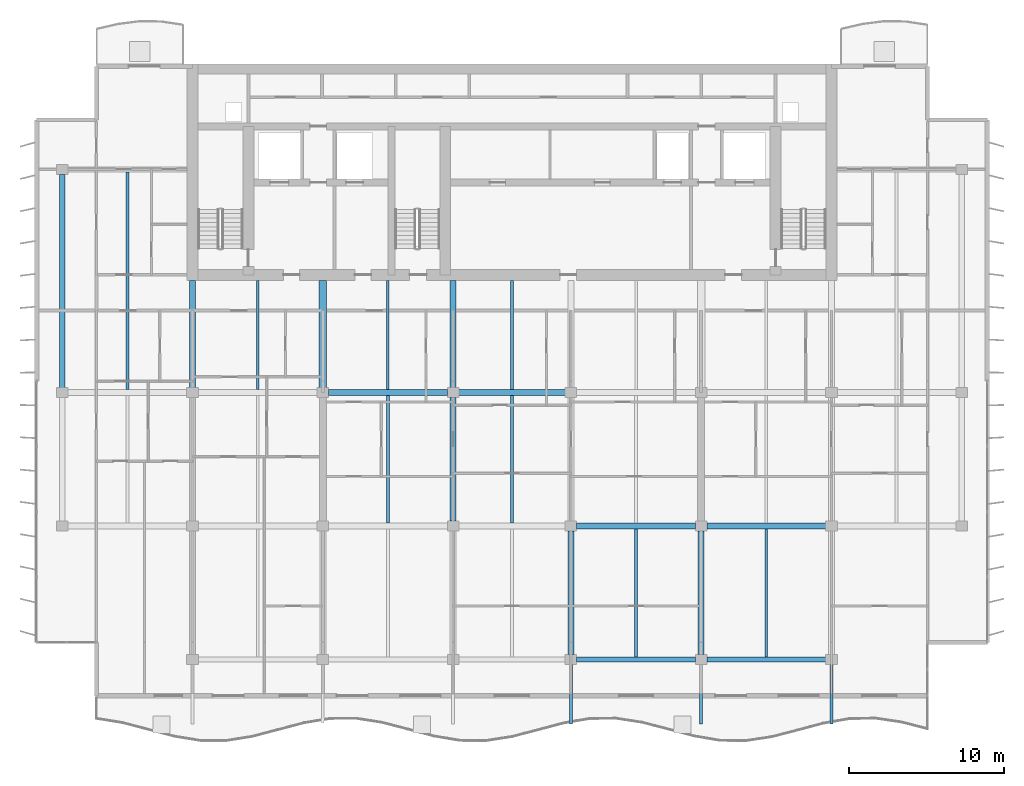
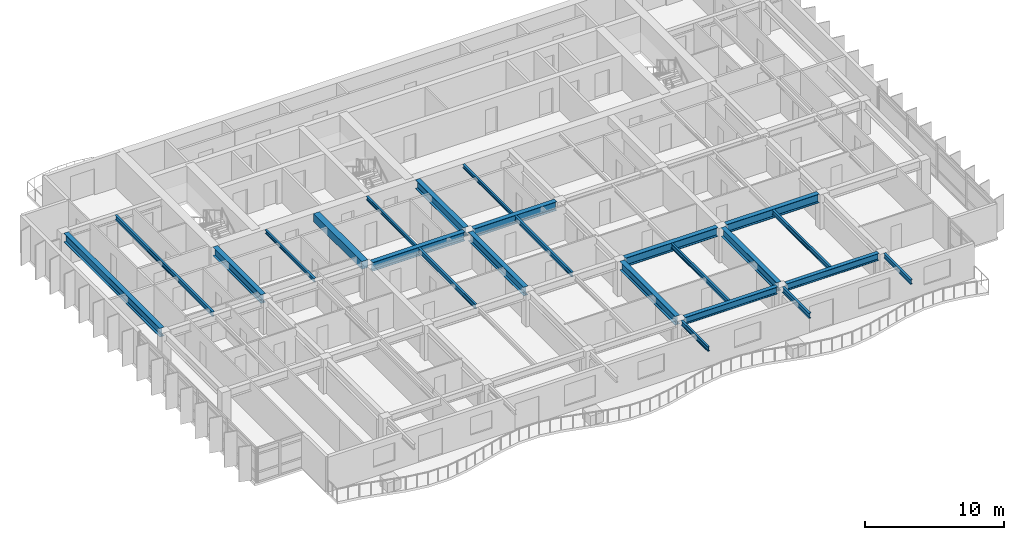
# One storey, part 3 of 16: 24 beams.
"""IFC4 building model written with IfcOpenShell, lengths in metres."""

from ifc_helpers import new_model, si_unit, direction, frame, origin, origin_2d, place, context, subcontext, project, spatial, rectangle, i_section, extrude, material, material_profile, profile_set, type_object, element, save


model = new_model("IFC4")

# Units and contexts
model_context = context("Model", 3, precision=1e-05, world=origin(), true_north=direction((0.0, 1.0)))
body_context = subcontext(model_context, "Body", "Model", "MODEL_VIEW")
ifc_project = project(units=[si_unit("LENGTHUNIT", "METRE"), si_unit("AREAUNIT", "SQUARE_METRE"), si_unit("VOLUMEUNIT", "CUBIC_METRE"), si_unit("PLANEANGLEUNIT", "RADIAN"), si_unit("MASSUNIT", "GRAM", prefix="KILO")], contexts=[model_context])

# Site, building, storey
site_placement = place(None, origin())
site = spatial("IfcSite", under=ifc_project, at=site_placement, CompositionType="ELEMENT")
building_placement = place(site_placement, origin())
building = spatial("IfcBuilding", under=site, at=building_placement, Name="Caelmar Bay Residences", CompositionType="ELEMENT")
storey_placement = place(building_placement, frame((0.0, 0.0, 252.89990234375)))
storey = spatial("IfcBuildingStorey", under=building, at=storey_placement, Name="L71", CompositionType="ELEMENT", Elevation=252.89990234375)

# Beams
ifc_material_1 = material(Name="Steel ASTM A992 Grade 50", Category="steel")
ifc_material_profile_1 = material_profile(ifc_material_1, i_section(OverallWidth=0.177978515625, OverallDepth=0.406005859375, WebThickness=0.0078125, FlangeThickness=0.0126953125, FilletRadius=0.0087890625, at=origin_2d()), Name="W16X40")
ifc_profile_set_1 = profile_set([ifc_material_profile_1], Name="Steel ASTM A992 Grade 50")
beam_type_1 = type_object("IfcBeamType", Name="BM-BAL-W16X40", PredefinedType="JOIST", material=ifc_profile_set_1)
for number, where, z_axis, x_axis, name in (
    (1, (46.89990234375, 12.362548828125, 2.84716796875), (0.0, 1.0, 0.0), (-1.0, 0.0, 0.0), "L71 Composite Floor Joist 4"),
    (2, (55.300048828125, 12.362548828125, 2.84716796875), (0.0, 1.0, 0.0), (-1.0, 0.0, 0.0), "L71 Composite Floor Joist 5"),
):
    element("IfcBeam", number, at=place(storey_placement, frame(where, z_axis=z_axis, x_axis=x_axis)), inside=storey, type_object=beam_type_1, Name=name, PredefinedType="JOIST", context=body_context, shape_type="SweptSolid", body=[
        extrude(i_section(OverallWidth=0.177978515625, OverallDepth=0.406005859375, WebThickness=0.0078125, FlangeThickness=0.0126953125, FilletRadius=0.0087890625, at=origin_2d()), origin(), (0.0, 0.0, 1.0), 8.2470703125),
    ])
for number, where, z_axis, x_axis, name in (
    (3, (30.89990234375, 20.990478515625, 2.84716796875), (0.0, 1.0, 0.0), (-1.0, 0.0, 0.0), "L71 Composite Floor Joist 8"),
    (4, (38.89990234375, 20.990478515625, 2.84716796875), (0.0, 1.0, 0.0), (-1.0, 0.0, 0.0), "L71 Composite Floor Joist 9"),
):
    element("IfcBeam", number, at=place(storey_placement, frame(where, z_axis=z_axis, x_axis=x_axis)), inside=storey, type_object=beam_type_1, Name=name, PredefinedType="JOIST", context=body_context, shape_type="SweptSolid", body=[
        extrude(i_section(OverallWidth=0.177978515625, OverallDepth=0.406005859375, WebThickness=0.0078125, FlangeThickness=0.0126953125, FilletRadius=0.0087890625, at=origin_2d()), origin(), (0.0, 0.0, 1.0), 8.218994140625),
    ])
beam_1_placement = place(storey_placement, frame((14.10009765625, 29.590576171875, 2.84716796875), z_axis=(0.0, 1.0, 0.0), x_axis=(-1.0, 0.0, 0.0)))
element("IfcBeam", 5, at=beam_1_placement, inside=storey, type_object=beam_type_1, Name="L71 Composite Floor Joist 18", PredefinedType="JOIST", context=body_context, shape_type="SweptSolid", body=[
    extrude(i_section(OverallWidth=0.177978515625, OverallDepth=0.406005859375, WebThickness=0.0078125, FlangeThickness=0.0126953125, FilletRadius=0.0087890625, at=origin_2d()), origin(), (0.0, 0.0, 1.0), 14.046875),
])
for number, where, z_axis, x_axis, name in (
    (6, (42.699951171875, 11.885009765625, 2.84716796875), (0.0, -1.0, 0.0), (1.0, 0.0, 0.0), "L72 South Balcony Cantilever Bracket 4"),
    (7, (59.5, 11.885009765625, 2.84716796875), (0.0, -1.0, 0.0), (1.0, 0.0, 0.0), "L72 South Balcony Cantilever Bracket 6"),
):
    element("IfcBeam", number, at=place(storey_placement, frame(where, z_axis=z_axis, x_axis=x_axis)), inside=storey, type_object=beam_type_1, Name=name, PredefinedType="JOIST", context=body_context, shape_type="SweptSolid", body=[
        extrude(i_section(OverallWidth=0.177978515625, OverallDepth=0.406005859375, WebThickness=0.0078125, FlangeThickness=0.0126953125, FilletRadius=0.0087890625, at=origin_2d()), origin(), (0.0, 0.0, 1.0), 3.85009765625),
    ])
ifc_material_profile_2 = material_profile(ifc_material_1, i_section(OverallWidth=0.193115234375, OverallDepth=0.467041015625, WebThickness=0.011474609375, FlangeThickness=0.01904296875, FilletRadius=0.01025390625, at=origin_2d()), Name="W18X65")
ifc_profile_set_2 = profile_set([ifc_material_profile_2], Name="Steel ASTM A992 Grade 50")
beam_type_2 = type_object("IfcBeamType", Name="BM-BAL-W18X65", PredefinedType="BEAM", material=ifc_profile_set_2)
beam_2_placement = place(storey_placement, frame((51.10009765625, 11.885009765625, 2.816650390625), z_axis=(0.0, -1.0, 0.0), x_axis=(1.0, 0.0, 0.0)))
element("IfcBeam", 8, at=beam_2_placement, inside=storey, type_object=beam_type_2, Name="L72 South Balcony Cantilever Bracket 5", PredefinedType="BEAM", context=body_context, shape_type="SweptSolid", body=[
    extrude(i_section(OverallWidth=0.193115234375, OverallDepth=0.467041015625, WebThickness=0.011474609375, FlangeThickness=0.01904296875, FilletRadius=0.01025390625, at=origin_2d()), origin(), (0.0, 0.0, 1.0), 3.85009765625),
])
ifc_material_profile_3 = material_profile(ifc_material_1, i_section(OverallWidth=0.381103515625, OverallDepth=0.77197265625, WebThickness=0.0166015625, FlangeThickness=0.027099609375, FilletRadius=0.0166015625, at=origin_2d()), Name="W30X173")
ifc_profile_set_3 = profile_set([ifc_material_profile_3], Name="Steel ASTM A992 Grade 50")
beam_type_3 = type_object("IfcBeamType", Name="BM-GRD-W30X173", PredefinedType="BEAM", material=ifc_profile_set_3)
beam_3_placement = place(storey_placement, frame((43.06494140625, 20.800048828125, 2.6640625), z_axis=(1.0, 0.0, 0.0), x_axis=(0.0, 1.0, 0.0)))
element("IfcBeam", 9, at=beam_3_placement, inside=storey, type_object=beam_type_3, Name="L71 East-West Girder Y=20.80 (42.7-51.1)", PredefinedType="BEAM", context=body_context, shape_type="SweptSolid", body=[
    extrude(i_section(OverallWidth=0.381103515625, OverallDepth=0.77197265625, WebThickness=0.0166015625, FlangeThickness=0.027099609375, FilletRadius=0.0166015625, at=origin_2d()), origin(), (0.0, 0.0, 1.0), 7.670166015625),
])
beam_4_placement = place(storey_placement, frame((51.465087890625, 20.800048828125, 2.6640625), z_axis=(1.0, 0.0, 0.0), x_axis=(0.0, 1.0, 0.0)))
element("IfcBeam", 10, at=beam_4_placement, inside=storey, type_object=beam_type_3, Name="L71 East-West Girder Y=20.80 (51.1-59.5)", PredefinedType="BEAM", context=body_context, shape_type="SweptSolid", body=[
    extrude(i_section(OverallWidth=0.381103515625, OverallDepth=0.77197265625, WebThickness=0.0166015625, FlangeThickness=0.027099609375, FilletRadius=0.0166015625, at=origin_2d()), origin(), (0.0, 0.0, 1.0), 7.669921875),
])
beam_5_placement = place(storey_placement, frame((27.06494140625, 29.39990234375, 2.6640625), z_axis=(1.0, 0.0, 0.0), x_axis=(0.0, 1.0, 0.0)))
element("IfcBeam", 11, at=beam_5_placement, inside=storey, type_object=beam_type_3, Name="L71 East-West Girder Y=29.40 (26.7-35.1)", PredefinedType="BEAM", context=body_context, shape_type="SweptSolid", body=[
    extrude(i_section(OverallWidth=0.381103515625, OverallDepth=0.77197265625, WebThickness=0.0166015625, FlangeThickness=0.027099609375, FilletRadius=0.0166015625, at=origin_2d()), origin(), (0.0, 0.0, 1.0), 7.670166015625),
])
beam_6_placement = place(storey_placement, frame((35.465087890625, 29.39990234375, 2.6640625), z_axis=(1.0, 0.0, 0.0), x_axis=(0.0, 1.0, 0.0)))
element("IfcBeam", 12, at=beam_6_placement, inside=storey, type_object=beam_type_3, Name="L71 East-West Girder Y=29.40 (35.1-42.7)", PredefinedType="BEAM", context=body_context, shape_type="SweptSolid", body=[
    extrude(i_section(OverallWidth=0.381103515625, OverallDepth=0.77197265625, WebThickness=0.0166015625, FlangeThickness=0.027099609375, FilletRadius=0.0166015625, at=origin_2d()), origin(), (0.0, 0.0, 1.0), 6.869873046875),
])
beam_7_placement = place(storey_placement, frame((9.89990234375, 29.715087890625, 2.6640625), z_axis=(0.0, 1.0, 0.0), x_axis=(-1.0, 0.0, 0.0)))
element("IfcBeam", 13, at=beam_7_placement, inside=storey, type_object=beam_type_3, Name="L71 North-South Girder X=9.90 (29.4-43.8)", PredefinedType="BEAM", context=body_context, shape_type="SweptSolid", body=[
    extrude(i_section(OverallWidth=0.381103515625, OverallDepth=0.77197265625, WebThickness=0.0166015625, FlangeThickness=0.027099609375, FilletRadius=0.0166015625, at=origin_2d()), origin(), (0.0, 0.0, 1.0), 13.77001953125),
])
for number, where, z_axis, x_axis, name in (
    (14, (18.300048828125, 29.715087890625, 2.6640625), (0.0, 1.0, 0.0), (-1.0, 0.0, 0.0), "L71 Core Tie Girder X=18.30"),
    (15, (35.10009765625, 29.715087890625, 2.6640625), (0.0, 1.0, 0.0), (-1.0, 0.0, 0.0), "L71 Core Tie Girder X=35.10"),
):
    element("IfcBeam", number, at=place(storey_placement, frame(where, z_axis=z_axis, x_axis=x_axis)), inside=storey, type_object=beam_type_3, Name=name, PredefinedType="BEAM", context=body_context, shape_type="SweptSolid", body=[
        extrude(i_section(OverallWidth=0.381103515625, OverallDepth=0.77197265625, WebThickness=0.0166015625, FlangeThickness=0.027099609375, FilletRadius=0.0166015625, at=origin_2d()), origin(), (0.0, 0.0, 1.0), 6.934814453125),
    ])
beam_8_placement = place(storey_placement, frame((35.10009765625, 21.114990234375, 2.6640625), z_axis=(0.0, 1.0, 0.0), x_axis=(-1.0, 0.0, 0.0)))
element("IfcBeam", 16, at=beam_8_placement, inside=storey, type_object=beam_type_3, Name="L71 North-South Girder X=35.10 (20.8-29.4)", PredefinedType="BEAM", context=body_context, shape_type="SweptSolid", body=[
    extrude(i_section(OverallWidth=0.381103515625, OverallDepth=0.77197265625, WebThickness=0.0166015625, FlangeThickness=0.027099609375, FilletRadius=0.0166015625, at=origin_2d()), origin(), (0.0, 0.0, 1.0), 7.969970703125),
])
for number, where, z_axis, x_axis, name in (
    (17, (42.699951171875, 12.514892578125, 2.6640625), (0.0, 1.0, 0.0), (-1.0, 0.0, 0.0), "L71 North-South Girder X=42.70 (12.2-20.8)"),
    (18, (51.10009765625, 12.514892578125, 2.6640625), (0.0, 1.0, 0.0), (-1.0, 0.0, 0.0), "L71 North-South Girder X=51.10 (12.2-20.8)"),
):
    element("IfcBeam", number, at=place(storey_placement, frame(where, z_axis=z_axis, x_axis=x_axis)), inside=storey, type_object=beam_type_3, Name=name, PredefinedType="BEAM", context=body_context, shape_type="SweptSolid", body=[
        extrude(i_section(OverallWidth=0.381103515625, OverallDepth=0.77197265625, WebThickness=0.0166015625, FlangeThickness=0.027099609375, FilletRadius=0.0166015625, at=origin_2d()), origin(), (0.0, 0.0, 1.0), 7.97021484375),
    ])
ifc_material_profile_4 = material_profile(ifc_material_1, i_section(OverallWidth=0.1650390625, OverallDepth=0.31005859375, WebThickness=0.005859375, FlangeThickness=0.009765625, FilletRadius=0.007568359375, at=origin_2d()), Name="W12X26")
ifc_profile_set_4 = profile_set([ifc_material_profile_4], Name="Steel ASTM A992 Grade 50")
beam_type_4 = type_object("IfcBeamType", Name="BM-JST-W12X26", PredefinedType="JOIST", material=ifc_profile_set_4)
for number, where, z_axis, x_axis, name in (
    (19, (22.5, 29.590576171875, 2.89501953125), (0.0, 1.0, 0.0), (-1.0, 0.0, 0.0), "L71 Core-Band Composite Joist 13"),
    (20, (30.89990234375, 29.590576171875, 2.89501953125), (0.0, 1.0, 0.0), (-1.0, 0.0, 0.0), "L71 Core-Band Composite Joist 14"),
    (21, (38.89990234375, 29.590576171875, 2.89501953125), (0.0, 1.0, 0.0), (-1.0, 0.0, 0.0), "L71 Core-Band Composite Joist 15"),
):
    element("IfcBeam", number, at=place(storey_placement, frame(where, z_axis=z_axis, x_axis=x_axis)), inside=storey, type_object=beam_type_4, Name=name, PredefinedType="JOIST", context=body_context, shape_type="SweptSolid", body=[
        extrude(i_section(OverallWidth=0.1650390625, OverallDepth=0.31005859375, WebThickness=0.005859375, FlangeThickness=0.009765625, FilletRadius=0.007568359375, at=origin_2d()), origin(), (0.0, 0.0, 1.0), 7.059326171875),
    ])
ifc_material_2 = material(Name="Concrete f'c 55 MPa (8,000 psi)", Category="concrete")
ifc_material_profile_5 = material_profile(ifc_material_2, rectangle(XDim=0.5, YDim=0.699951171875, at=origin_2d()), Name="RC-BM-500X700")
ifc_profile_set_5 = profile_set([ifc_material_profile_5], Name="Concrete f'c 55 MPa (8,000 psi)")
beam_type_5 = type_object("IfcBeamType", Name="BM-RC-500X700", PredefinedType="LINTEL", material=ifc_profile_set_5)
beam_9_placement = place(storey_placement, frame((26.699951171875, 29.715087890625, 2.7001953125), z_axis=(0.0, 1.0, 0.0), x_axis=(-1.0, 0.0, 0.0)))
element("IfcBeam", 22, at=beam_9_placement, inside=storey, type_object=beam_type_5, Name="L71 Shear-Wall Corridor Coupling Lintel W5", PredefinedType="LINTEL", context=body_context, shape_type="SweptSolid", body=[
    extrude(rectangle(XDim=0.5, YDim=0.699951171875, at=origin_2d()), origin(), (0.0, 0.0, 1.0), 6.934814453125),
])
ifc_material_profile_6 = material_profile(ifc_material_1, i_section(OverallWidth=0.324951171875, OverallDepth=0.616943359375, WebThickness=0.013916015625, FlangeThickness=0.021484375, FilletRadius=0.0126953125, at=origin_2d()), Name="W24X117")
ifc_profile_set_6 = profile_set([ifc_material_profile_6], Name="Steel ASTM A992 Grade 50")
beam_type_6 = type_object("IfcBeamType", Name="BM-SPN-W24X117", PredefinedType="SPANDREL", material=ifc_profile_set_6)
beam_10_placement = place(storey_placement, frame((43.06494140625, 12.199951171875, 2.74169921875), z_axis=(1.0, 0.0, 0.0), x_axis=(0.0, 1.0, 0.0)))
element("IfcBeam", 23, at=beam_10_placement, inside=storey, type_object=beam_type_6, Name="L71 East-West Girder Y=12.20 (42.7-51.1)", PredefinedType="SPANDREL", context=body_context, shape_type="SweptSolid", body=[
    extrude(i_section(OverallWidth=0.324951171875, OverallDepth=0.616943359375, WebThickness=0.013916015625, FlangeThickness=0.021484375, FilletRadius=0.0126953125, at=origin_2d()), origin(), (0.0, 0.0, 1.0), 7.670166015625),
])
beam_11_placement = place(storey_placement, frame((51.465087890625, 12.199951171875, 2.74169921875), z_axis=(1.0, 0.0, 0.0), x_axis=(0.0, 1.0, 0.0)))
element("IfcBeam", 24, at=beam_11_placement, inside=storey, type_object=beam_type_6, Name="L71 East-West Girder Y=12.20 (51.1-59.5)", PredefinedType="SPANDREL", context=body_context, shape_type="SweptSolid", body=[
    extrude(i_section(OverallWidth=0.324951171875, OverallDepth=0.616943359375, WebThickness=0.013916015625, FlangeThickness=0.021484375, FilletRadius=0.0126953125, at=origin_2d()), origin(), (0.0, 0.0, 1.0), 7.669921875),
])

save(model, "model.ifc")
